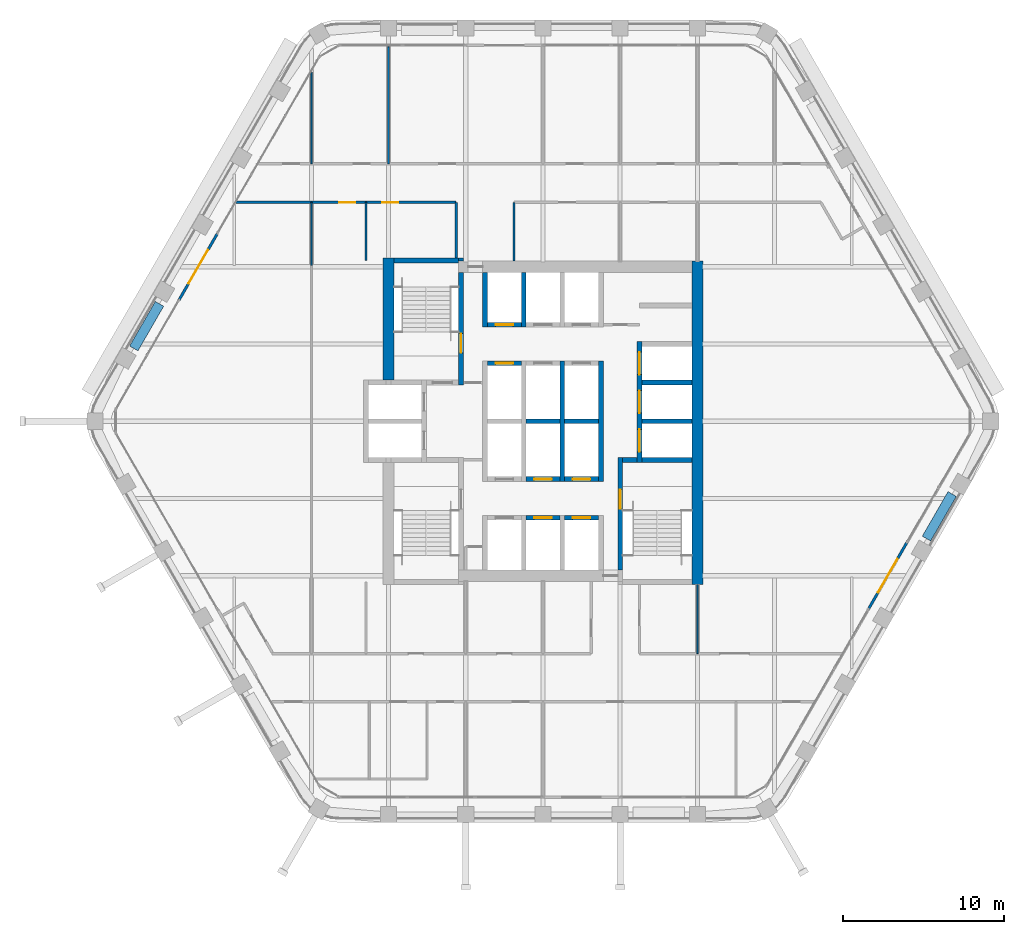
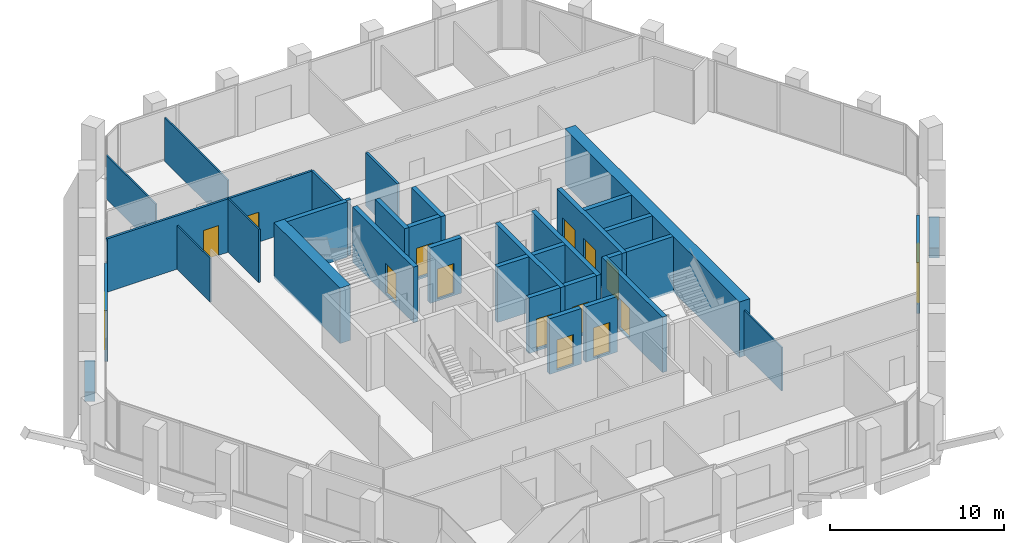
# One storey, part 11 of 16: 35 walls, 15 doors, 15 openings.
"""IFC4 building model written with IfcOpenShell, lengths in metres."""

from ifc_helpers import new_model, si_unit, direction, frame, frame_2d, origin, place, context, subcontext, project, spatial, rectangle, extrude, material, layer, layer_set, type_object, element, fill, save


model = new_model("IFC4")

# Units and contexts
model_context = context("Model", 3, precision=1e-05, world=origin(), true_north=direction((0.0, 1.0)))
body_context = subcontext(model_context, "Body", "Model", "MODEL_VIEW")
ifc_project = project(units=[si_unit("LENGTHUNIT", "METRE"), si_unit("AREAUNIT", "SQUARE_METRE"), si_unit("VOLUMEUNIT", "CUBIC_METRE"), si_unit("PLANEANGLEUNIT", "RADIAN"), si_unit("MASSUNIT", "GRAM", prefix="KILO")], contexts=[model_context])

# Site, building, storey
site_placement = place(None, origin())
site = spatial("IfcSite", under=ifc_project, at=site_placement, CompositionType="ELEMENT")
building_placement = place(site_placement, origin())
building = spatial("IfcBuilding", under=site, at=building_placement, Name="Kolab Exchange Tower", CompositionType="ELEMENT")
storey_placement = place(building_placement, frame((0.0, 0.0, 209.0)))
storey = spatial("IfcBuildingStorey", under=building, at=storey_placement, Name="L45", CompositionType="ELEMENT", Elevation=209.0)

# Walls
ifc_material_1 = material(Name="Concrete C60/75", Category="concrete")
ifc_layer_1 = layer(ifc_material_1, 0.699951171875)
ifc_layer_set_1 = layer_set([ifc_layer_1], Name="Concrete C60/75")
wall_type_1 = type_object("IfcWallType", Name="CORE WALL 700 C60/75", PredefinedType="SHEAR", material=ifc_layer_set_1)
wall_1_placement = place(storey_placement, frame((-9.60009765625, 2.550048828125, -0.14990234375), z_axis=(0.0, 0.0, 1.0), x_axis=(0.0, 1.0, 0.0)))
element("IfcWall", 1, at=wall_1_placement, inside=storey, type_object=wall_type_1, Name="wall/L45/core/037", PredefinedType="SHEAR", context=body_context, shape_type="SweptSolid", body=[
    extrude(rectangle(XDim=7.599853515625, YDim=0.699951171875, at=frame_2d((3.7998046875, 0.0))), origin(), (0.0, 0.0, 1.0), 3.89990234375),
])
wall_2_placement = place(storey_placement, frame((9.60009765625, -10.14990234375, -0.14990234375), z_axis=(0.0, 0.0, 1.0), x_axis=(0.0, 1.0, 0.0)))
element("IfcWall", 2, at=wall_2_placement, inside=storey, type_object=wall_type_1, Name="wall/L45/core/058", PredefinedType="SHEAR", context=body_context, shape_type="SweptSolid", body=[
    extrude(rectangle(XDim=20.099853515625, YDim=0.699951171875, at=frame_2d((10.0498046875, 0.0))), origin(), (0.0, 0.0, 1.0), 3.89990234375),
])

# Wall, opening, door
ifc_material_2 = material(Name="Aluminium EN AW-6063 T6", Category="aluminium")
ifc_layer_2 = layer(ifc_material_2, 0.159912109375)
ifc_layer_set_2 = layer_set([ifc_layer_2], Name="Aluminium EN AW-6063 T6")
wall_type_2 = type_object("IfcWallType", Name="DOOR SURROUND WALL 160 ALUMINIUM FRAMED", PredefinedType="PARTITIONING", material=ifc_layer_set_2)
wall_3_placement = place(storey_placement, frame((22.61669921875, -7.5498046875, 0.0), z_axis=(0.0, 0.0, 1.0), x_axis=(-0.5000167099, -0.866015756104, 0.0)))
wall_3 = element("IfcWall", 3, at=wall_3_placement, inside=storey, type_object=wall_type_2, Name="Door surround wall", PredefinedType="PARTITIONING", context=body_context, shape_type="SweptSolid", body=[
    extrude(rectangle(XDim=4.739990234375, YDim=0.159912109375, at=frame_2d((2.3701171875, 0.0))), origin(), (0.0, 0.0, 1.0), 3.60009765625),
])
opening_1_placement = place(wall_3_placement, frame((1.169921875, 0.0, 0.0)))
opening_1 = element("IfcOpeningElement", 4, at=opening_1_placement, cuts=wall_3, Name="Opening GD1-072", PredefinedType="OPENING", context=body_context, shape_type="SweptSolid", body=[
    extrude(rectangle(XDim=2.39990234375, YDim=2.39990234375, at=frame_2d((1.199951171875, 1.199951171875))), frame((0.0, 0.08984375, 0.0), z_axis=(0.0, -1.0, 0.0), x_axis=(1.0, 0.0, 0.0)), (0.0, 0.0, 1.0), 0.179931640625),
])
door_type_1 = type_object("IfcDoorType", Name="LOGGIA SLIDING GLASS DOOR 2400 X 2400", OperationType="DOUBLE_DOOR_SINGLE_SWING", PredefinedType="DOOR", material=ifc_material_2)
door_1_placement = place(opening_1_placement, origin())
door_1 = element("IfcDoor", 5, at=door_1_placement, inside=storey, type_object=door_type_1, Name="Loggia door", OperationType="DOUBLE_DOOR_SLIDING", OverallHeight=2.39990234375, OverallWidth=2.39990234375, PredefinedType="DOOR", context=body_context, shape_type="SweptSolid", body=[
    extrude(rectangle(XDim=2.39990234375, YDim=2.39990234375, at=frame_2d((1.199951171875, 1.199951171875))), frame((0.0, 0.02490234375, 0.0), z_axis=(0.0, -1.0, 0.0), x_axis=(1.0, 0.0, 0.0)), (0.0, 0.0, 1.0), 0.050048828125),
])
fill(opening_1, door_1)

wall_4_placement = place(storey_placement, frame((-22.61669921875, 7.5498046875, 0.0), z_axis=(0.0, 0.0, 1.0), x_axis=(0.5000167099, 0.866015756104, 0.0)))
wall_4 = element("IfcWall", 6, at=wall_4_placement, inside=storey, type_object=wall_type_2, Name="Door surround wall", PredefinedType="PARTITIONING", context=body_context, shape_type="SweptSolid", body=[
    extrude(rectangle(XDim=4.739990234375, YDim=0.159912109375, at=frame_2d((2.3701171875, 0.0))), origin(), (0.0, 0.0, 1.0), 3.60009765625),
])
opening_2_placement = place(wall_4_placement, frame((1.169921875, 0.0, 0.0)))
opening_2 = element("IfcOpeningElement", 7, at=opening_2_placement, cuts=wall_4, Name="Opening GD1-078", PredefinedType="OPENING", context=body_context, shape_type="SweptSolid", body=[
    extrude(rectangle(XDim=2.39990234375, YDim=2.39990234375, at=frame_2d((1.199951171875, 1.199951171875))), frame((0.0, 0.08984375, 0.0), z_axis=(0.0, -1.0, 0.0), x_axis=(1.0, 0.0, 0.0)), (0.0, 0.0, 1.0), 0.179931640625),
])
door_2_placement = place(opening_2_placement, origin())
door_2 = element("IfcDoor", 8, at=door_2_placement, inside=storey, type_object=door_type_1, Name="Loggia door", OperationType="DOUBLE_DOOR_SLIDING", OverallHeight=2.39990234375, OverallWidth=2.39990234375, PredefinedType="DOOR", context=body_context, shape_type="SweptSolid", body=[
    extrude(rectangle(XDim=2.39990234375, YDim=2.39990234375, at=frame_2d((1.199951171875, 1.199951171875))), frame((0.0, 0.02490234375, 0.0), z_axis=(0.0, -1.0, 0.0), x_axis=(1.0, 0.0, 0.0)), (0.0, 0.0, 1.0), 0.050048828125),
])
fill(opening_2, door_2)

ifc_material_3 = material(Name="Concrete C50/60", Category="concrete")
ifc_layer_3 = layer(ifc_material_3, 0.300048828125)
ifc_layer_set_3 = layer_set([ifc_layer_3], Name="Concrete C50/60")
wall_type_3 = type_object("IfcWallType", Name="LIFT SHAFT WALL 300 C50/60", PredefinedType="STANDARD", material=ifc_layer_set_3)
wall_5_placement = place(storey_placement, frame((-1.050048828125, -6.0, -0.14990234375), z_axis=(0.0, 0.0, 1.0), x_axis=(1.0, 0.0, 0.0)))
wall_5 = element("IfcWall", 9, at=wall_5_placement, inside=storey, type_object=wall_type_3, Name="wall/L45/core/004", PredefinedType="STANDARD", context=body_context, shape_type="SweptSolid", body=[
    extrude(rectangle(XDim=2.10009765625, YDim=0.300048828125, at=frame_2d((1.050048828125, 0.0))), origin(), (0.0, 0.0, 1.0), 3.89990234375),
])
opening_3_placement = place(wall_5_placement, frame((0.5, 0.0, 0.14990234375)))
opening_3 = element("IfcOpeningElement", 10, at=opening_3_placement, cuts=wall_5, Name="Opening LD1-111", PredefinedType="OPENING", context=body_context, shape_type="SweptSolid", body=[
    extrude(rectangle(XDim=1.10009765625, YDim=2.10009765625, at=frame_2d((0.550048828125, 1.050048828125))), frame((0.0, 0.16015625, 0.0), z_axis=(0.0, -1.0, 0.0), x_axis=(1.0, 0.0, 0.0)), (0.0, 0.0, 1.0), 0.320068359375),
])
ifc_material_4 = material(Name="Stainless steel 316", Category="steel")
door_type_2 = type_object("IfcDoorType", Name="LANDING DOOR 1100 PASSENGER", OperationType="DOUBLE_DOOR_SLIDING", PredefinedType="DOOR", material=ifc_material_4)
door_3_placement = place(opening_3_placement, origin())
door_3 = element("IfcDoor", 11, at=door_3_placement, inside=storey, type_object=door_type_2, Name="Landing door HR11", OperationType="DOUBLE_DOOR_SLIDING", OverallHeight=2.10009765625, OverallWidth=1.10009765625, PredefinedType="DOOR", context=body_context, shape_type="SweptSolid", body=[
    extrude(rectangle(XDim=1.10009765625, YDim=2.10009765625, at=frame_2d((0.550048828125, 1.050048828125))), frame((0.0, 0.02490234375, 0.0), z_axis=(0.0, -1.0, 0.0), x_axis=(1.0, 0.0, 0.0)), (0.0, 0.0, 1.0), 0.050048828125),
])
fill(opening_3, door_3)

wall_6_placement = place(storey_placement, frame((1.35009765625, -6.0, -0.14990234375), z_axis=(0.0, 0.0, 1.0), x_axis=(1.0, 0.0, 0.0)))
wall_6 = element("IfcWall", 12, at=wall_6_placement, inside=storey, type_object=wall_type_3, Name="wall/L45/core/005", PredefinedType="STANDARD", context=body_context, shape_type="SweptSolid", body=[
    extrude(rectangle(XDim=2.099853515625, YDim=0.300048828125, at=frame_2d((1.0498046875, 0.0))), origin(), (0.0, 0.0, 1.0), 3.89990234375),
])
opening_4_placement = place(wall_6_placement, frame((0.5, 0.0, 0.14990234375)))
opening_4 = element("IfcOpeningElement", 13, at=opening_4_placement, cuts=wall_6, Name="Opening LD1-112", PredefinedType="OPENING", context=body_context, shape_type="SweptSolid", body=[
    extrude(rectangle(XDim=1.10009765625, YDim=2.10009765625, at=frame_2d((0.550048828125, 1.050048828125))), frame((0.0, 0.16015625, 0.0), z_axis=(0.0, -1.0, 0.0), x_axis=(1.0, 0.0, 0.0)), (0.0, 0.0, 1.0), 0.320068359375),
])
door_4_placement = place(opening_4_placement, origin())
door_4 = element("IfcDoor", 14, at=door_4_placement, inside=storey, type_object=door_type_2, Name="Landing door HR12", OperationType="DOUBLE_DOOR_SLIDING", OverallHeight=2.10009765625, OverallWidth=1.10009765625, PredefinedType="DOOR", context=body_context, shape_type="SweptSolid", body=[
    extrude(rectangle(XDim=1.10009765625, YDim=2.10009765625, at=frame_2d((0.550048828125, 1.050048828125))), frame((0.0, 0.02490234375, 0.0), z_axis=(0.0, -1.0, 0.0), x_axis=(1.0, 0.0, 0.0)), (0.0, 0.0, 1.0), 0.050048828125),
])
fill(opening_4, door_4)

wall_7_placement = place(storey_placement, frame((-1.050048828125, -3.60009765625, -0.14990234375), z_axis=(0.0, 0.0, 1.0), x_axis=(1.0, 0.0, 0.0)))
wall_7 = element("IfcWall", 15, at=wall_7_placement, inside=storey, type_object=wall_type_3, Name="wall/L45/core/007", PredefinedType="STANDARD", context=body_context, shape_type="SweptSolid", body=[
    extrude(rectangle(XDim=2.10009765625, YDim=0.300048828125, at=frame_2d((1.050048828125, 0.0))), origin(), (0.0, 0.0, 1.0), 3.89990234375),
])
opening_5_placement = place(wall_7_placement, frame((0.5, 0.0, 0.14990234375)))
opening_5 = element("IfcOpeningElement", 16, at=opening_5_placement, cuts=wall_7, Name="Opening LD1-119", PredefinedType="OPENING", context=body_context, shape_type="SweptSolid", body=[
    extrude(rectangle(XDim=1.10009765625, YDim=2.10009765625, at=frame_2d((0.550048828125, 1.050048828125))), frame((0.0, 0.16015625, 0.0), z_axis=(0.0, -1.0, 0.0), x_axis=(1.0, 0.0, 0.0)), (0.0, 0.0, 1.0), 0.320068359375),
])
door_5_placement = place(opening_5_placement, origin())
door_5 = element("IfcDoor", 17, at=door_5_placement, inside=storey, type_object=door_type_2, Name="Landing door HR8", OperationType="DOUBLE_DOOR_SLIDING", OverallHeight=2.10009765625, OverallWidth=1.10009765625, PredefinedType="DOOR", context=body_context, shape_type="SweptSolid", body=[
    extrude(rectangle(XDim=1.10009765625, YDim=2.10009765625, at=frame_2d((0.550048828125, 1.050048828125))), frame((0.0, 0.02490234375, 0.0), z_axis=(0.0, -1.0, 0.0), x_axis=(1.0, 0.0, 0.0)), (0.0, 0.0, 1.0), 0.050048828125),
])
fill(opening_5, door_5)

wall_8_placement = place(storey_placement, frame((1.35009765625, -3.60009765625, -0.14990234375), z_axis=(0.0, 0.0, 1.0), x_axis=(1.0, 0.0, 0.0)))
wall_8 = element("IfcWall", 18, at=wall_8_placement, inside=storey, type_object=wall_type_3, Name="wall/L45/core/008", PredefinedType="STANDARD", context=body_context, shape_type="SweptSolid", body=[
    extrude(rectangle(XDim=2.099853515625, YDim=0.300048828125, at=frame_2d((1.0498046875, 0.0))), origin(), (0.0, 0.0, 1.0), 3.89990234375),
])
opening_6_placement = place(wall_8_placement, frame((0.5, 0.0, 0.14990234375)))
opening_6 = element("IfcOpeningElement", 19, at=opening_6_placement, cuts=wall_8, Name="Opening LD1-120", PredefinedType="OPENING", context=body_context, shape_type="SweptSolid", body=[
    extrude(rectangle(XDim=1.10009765625, YDim=2.10009765625, at=frame_2d((0.550048828125, 1.050048828125))), frame((0.0, 0.16015625, 0.0), z_axis=(0.0, -1.0, 0.0), x_axis=(1.0, 0.0, 0.0)), (0.0, 0.0, 1.0), 0.320068359375),
])
door_6_placement = place(opening_6_placement, origin())
door_6 = element("IfcDoor", 20, at=door_6_placement, inside=storey, type_object=door_type_2, Name="Landing door HR9", OperationType="DOUBLE_DOOR_SLIDING", OverallHeight=2.10009765625, OverallWidth=1.10009765625, PredefinedType="DOOR", context=body_context, shape_type="SweptSolid", body=[
    extrude(rectangle(XDim=1.10009765625, YDim=2.10009765625, at=frame_2d((0.550048828125, 1.050048828125))), frame((0.0, 0.02490234375, 0.0), z_axis=(0.0, -1.0, 0.0), x_axis=(1.0, 0.0, 0.0)), (0.0, 0.0, 1.0), 0.050048828125),
])
fill(opening_6, door_6)

# Walls
wall_9_placement = place(storey_placement, frame((-1.050048828125, 0.0, -0.14990234375), z_axis=(0.0, 0.0, 1.0), x_axis=(1.0, 0.0, 0.0)))
element("IfcWall", 21, at=wall_9_placement, inside=storey, type_object=wall_type_3, Name="wall/L45/core/016", PredefinedType="STANDARD", context=body_context, shape_type="SweptSolid", body=[
    extrude(rectangle(XDim=2.10009765625, YDim=0.300048828125, at=frame_2d((1.050048828125, 0.0))), origin(), (0.0, 0.0, 1.0), 3.89990234375),
])
wall_10_placement = place(storey_placement, frame((1.35009765625, 0.0, -0.14990234375), z_axis=(0.0, 0.0, 1.0), x_axis=(1.0, 0.0, 0.0)))
element("IfcWall", 22, at=wall_10_placement, inside=storey, type_object=wall_type_3, Name="wall/L45/core/017", PredefinedType="STANDARD", context=body_context, shape_type="SweptSolid", body=[
    extrude(rectangle(XDim=2.099853515625, YDim=0.300048828125, at=frame_2d((1.0498046875, 0.0))), origin(), (0.0, 0.0, 1.0), 3.89990234375),
])
for number, where, z_axis, x_axis, name in (
    (23, (6.14990234375, 0.0, -0.14990234375), (0.0, 0.0, 1.0), (1.0, 0.0, 0.0), "wall/L45/core/018"),
    (24, (6.14990234375, 2.39990234375, -0.14990234375), (0.0, 0.0, 1.0), (1.0, 0.0, 0.0), "wall/L45/core/022"),
):
    element("IfcWall", number, at=place(storey_placement, frame(where, z_axis=z_axis, x_axis=x_axis)), inside=storey, type_object=wall_type_3, Name=name, PredefinedType="STANDARD", context=body_context, shape_type="SweptSolid", body=[
        extrude(rectangle(XDim=3.10009765625, YDim=0.300048828125, at=frame_2d((1.550048828125, 0.0))), origin(), (0.0, 0.0, 1.0), 3.89990234375),
    ])

# Wall, opening, door
wall_11_placement = place(storey_placement, frame((-3.449951171875, 3.60009765625, -0.14990234375), z_axis=(0.0, 0.0, 1.0), x_axis=(1.0, 0.0, 0.0)))
wall_11 = element("IfcWall", 25, at=wall_11_placement, inside=storey, type_object=wall_type_3, Name="wall/L45/core/023", PredefinedType="STANDARD", context=body_context, shape_type="SweptSolid", body=[
    extrude(rectangle(XDim=2.099853515625, YDim=0.300048828125, at=frame_2d((1.0498046875, 0.0))), origin(), (0.0, 0.0, 1.0), 3.89990234375),
])
opening_7_placement = place(wall_11_placement, frame((0.5, 0.0, 0.14990234375)))
opening_7 = element("IfcOpeningElement", 26, at=opening_7_placement, cuts=wall_11, Name="Opening LD1-115", PredefinedType="OPENING", context=body_context, shape_type="SweptSolid", body=[
    extrude(rectangle(XDim=1.10009765625, YDim=2.10009765625, at=frame_2d((0.550048828125, 1.050048828125))), frame((0.0, 0.16015625, 0.0), z_axis=(0.0, -1.0, 0.0), x_axis=(1.0, 0.0, 0.0)), (0.0, 0.0, 1.0), 0.320068359375),
])
door_7_placement = place(opening_7_placement, origin())
door_7 = element("IfcDoor", 27, at=door_7_placement, inside=storey, type_object=door_type_2, Name="Landing door HR4", OperationType="DOUBLE_DOOR_SLIDING", OverallHeight=2.10009765625, OverallWidth=1.10009765625, PredefinedType="DOOR", context=body_context, shape_type="SweptSolid", body=[
    extrude(rectangle(XDim=1.10009765625, YDim=2.10009765625, at=frame_2d((0.550048828125, 1.050048828125))), frame((0.0, 0.02490234375, 0.0), z_axis=(0.0, -1.0, 0.0), x_axis=(1.0, 0.0, 0.0)), (0.0, 0.0, 1.0), 0.050048828125),
])
fill(opening_7, door_7)

wall_12_placement = place(storey_placement, frame((-3.449951171875, 6.0, -0.14990234375), z_axis=(0.0, 0.0, 1.0), x_axis=(1.0, 0.0, 0.0)))
wall_12 = element("IfcWall", 28, at=wall_12_placement, inside=storey, type_object=wall_type_3, Name="wall/L45/core/027", PredefinedType="STANDARD", context=body_context, shape_type="SweptSolid", body=[
    extrude(rectangle(XDim=2.099853515625, YDim=0.300048828125, at=frame_2d((1.0498046875, 0.0))), origin(), (0.0, 0.0, 1.0), 3.89990234375),
])
opening_8_placement = place(wall_12_placement, frame((0.5, 0.0, 0.14990234375)))
opening_8 = element("IfcOpeningElement", 29, at=opening_8_placement, cuts=wall_12, Name="Opening LD1-109", PredefinedType="OPENING", context=body_context, shape_type="SweptSolid", body=[
    extrude(rectangle(XDim=1.10009765625, YDim=2.10009765625, at=frame_2d((0.550048828125, 1.050048828125))), frame((0.0, 0.16015625, 0.0), z_axis=(0.0, -1.0, 0.0), x_axis=(1.0, 0.0, 0.0)), (0.0, 0.0, 1.0), 0.320068359375),
])
door_8_placement = place(opening_8_placement, origin())
door_8 = element("IfcDoor", 30, at=door_8_placement, inside=storey, type_object=door_type_2, Name="Landing door HR1", OperationType="DOUBLE_DOOR_SLIDING", OverallHeight=2.10009765625, OverallWidth=1.10009765625, PredefinedType="DOOR", context=body_context, shape_type="SweptSolid", body=[
    extrude(rectangle(XDim=1.10009765625, YDim=2.10009765625, at=frame_2d((0.550048828125, 1.050048828125))), frame((0.0, 0.02490234375, 0.0), z_axis=(0.0, -1.0, 0.0), x_axis=(1.0, 0.0, 0.0)), (0.0, 0.0, 1.0), 0.050048828125),
])
fill(opening_8, door_8)

# Walls
for number, where, z_axis, x_axis, name in (
    (31, (-3.60009765625, 5.85009765625, -0.14990234375), (0.0, 0.0, 1.0), (0.0, 1.0, 0.0), "wall/L45/core/045"),
    (32, (-1.199951171875, 5.85009765625, -0.14990234375), (0.0, 0.0, 1.0), (0.0, 1.0, 0.0), "wall/L45/core/048"),
):
    element("IfcWall", number, at=place(storey_placement, frame(where, z_axis=z_axis, x_axis=x_axis)), inside=storey, type_object=wall_type_3, Name=name, PredefinedType="STANDARD", context=body_context, shape_type="SweptSolid", body=[
        extrude(rectangle(XDim=3.39990234375, YDim=0.300048828125, at=frame_2d((1.699951171875, 0.0))), origin(), (0.0, 0.0, 1.0), 3.89990234375),
    ])
for number, where, z_axis, x_axis, name in (
    (33, (1.199951171875, -3.75, -0.14990234375), (0.0, 0.0, 1.0), (0.0, 1.0, 0.0), "wall/L45/core/050"),
    (34, (3.60009765625, -3.75, -0.14990234375), (0.0, 0.0, 1.0), (0.0, 1.0, 0.0), "wall/L45/core/053"),
):
    element("IfcWall", number, at=place(storey_placement, frame(where, z_axis=z_axis, x_axis=x_axis)), inside=storey, type_object=wall_type_3, Name=name, PredefinedType="STANDARD", context=body_context, shape_type="SweptSolid", body=[
        extrude(rectangle(XDim=7.5, YDim=0.300048828125, at=frame_2d((3.75, 0.0))), origin(), (0.0, 0.0, 1.0), 3.89990234375),
    ])

# Wall, openings, doors
wall_13_placement = place(storey_placement, frame((6.0, -2.550048828125, -0.14990234375), z_axis=(0.0, 0.0, 1.0), x_axis=(0.0, 1.0, 0.0)))
wall_13 = element("IfcWall", 35, at=wall_13_placement, inside=storey, type_object=wall_type_3, Name="wall/L45/core/057", PredefinedType="STANDARD", context=body_context, shape_type="SweptSolid", body=[
    extrude(rectangle(XDim=7.5, YDim=0.300048828125, at=frame_2d((3.75, 0.0))), origin(), (0.0, 0.0, 1.0), 3.89990234375),
])
opening_9_placement = place(wall_13_placement, frame((0.64990234375, 0.0, 0.14990234375)))
opening_9 = element("IfcOpeningElement", 36, at=opening_9_placement, cuts=wall_13, Name="Opening LD3-037", PredefinedType="OPENING", context=body_context, shape_type="SweptSolid", body=[
    extrude(rectangle(XDim=1.39990234375, YDim=2.10009765625, at=frame_2d((0.699951171875, 1.050048828125))), frame((0.0, 0.16015625, 0.0), z_axis=(0.0, -1.0, 0.0), x_axis=(1.0, 0.0, 0.0)), (0.0, 0.0, 1.0), 0.320068359375),
])
opening_10_placement = place(wall_13_placement, frame((3.050048828125, 0.0, 0.14990234375)))
opening_10 = element("IfcOpeningElement", 37, at=opening_10_placement, cuts=wall_13, Name="Opening LD3-038", PredefinedType="OPENING", context=body_context, shape_type="SweptSolid", body=[
    extrude(rectangle(XDim=1.39990234375, YDim=2.10009765625, at=frame_2d((0.699951171875, 1.050048828125))), frame((0.0, 0.16015625, 0.0), z_axis=(0.0, -1.0, 0.0), x_axis=(1.0, 0.0, 0.0)), (0.0, 0.0, 1.0), 0.320068359375),
])
opening_11_placement = place(wall_13_placement, frame((5.449951171875, 0.0, 0.14990234375)))
opening_11 = element("IfcOpeningElement", 38, at=opening_11_placement, cuts=wall_13, Name="Opening LD3-039", PredefinedType="OPENING", context=body_context, shape_type="SweptSolid", body=[
    extrude(rectangle(XDim=1.39990234375, YDim=2.10009765625, at=frame_2d((0.699951171875, 1.050048828125))), frame((0.0, 0.16015625, 0.0), z_axis=(0.0, -1.0, 0.0), x_axis=(1.0, 0.0, 0.0)), (0.0, 0.0, 1.0), 0.320068359375),
])
door_type_3 = type_object("IfcDoorType", Name="LANDING DOOR 1400 SERVICE", OperationType="DOUBLE_DOOR_SLIDING", PredefinedType="DOOR", material=ifc_material_4)
door_9_placement = place(opening_9_placement, origin())
door_9 = element("IfcDoor", 39, at=door_9_placement, inside=storey, type_object=door_type_3, Name="Landing door SV1", OperationType="DOUBLE_DOOR_SLIDING", OverallHeight=2.10009765625, OverallWidth=1.39990234375, PredefinedType="DOOR", context=body_context, shape_type="SweptSolid", body=[
    extrude(rectangle(XDim=1.39990234375, YDim=2.10009765625, at=frame_2d((0.699951171875, 1.050048828125))), frame((0.0, 0.02490234375, 0.0), z_axis=(0.0, -1.0, 0.0), x_axis=(1.0, 0.0, 0.0)), (0.0, 0.0, 1.0), 0.050048828125),
])
fill(opening_9, door_9)
door_10_placement = place(opening_10_placement, origin())
door_10 = element("IfcDoor", 40, at=door_10_placement, inside=storey, type_object=door_type_3, Name="Landing door SV2", OperationType="DOUBLE_DOOR_SLIDING", OverallHeight=2.10009765625, OverallWidth=1.39990234375, PredefinedType="DOOR", context=body_context, shape_type="SweptSolid", body=[
    extrude(rectangle(XDim=1.39990234375, YDim=2.10009765625, at=frame_2d((0.699951171875, 1.050048828125))), frame((0.0, 0.02490234375, 0.0), z_axis=(0.0, -1.0, 0.0), x_axis=(1.0, 0.0, 0.0)), (0.0, 0.0, 1.0), 0.050048828125),
])
fill(opening_10, door_10)
door_11_placement = place(opening_11_placement, origin())
door_11 = element("IfcDoor", 41, at=door_11_placement, inside=storey, type_object=door_type_3, Name="Landing door SV3", OperationType="DOUBLE_DOOR_SLIDING", OverallHeight=2.10009765625, OverallWidth=1.39990234375, PredefinedType="DOOR", context=body_context, shape_type="SweptSolid", body=[
    extrude(rectangle(XDim=1.39990234375, YDim=2.10009765625, at=frame_2d((0.699951171875, 1.050048828125))), frame((0.0, 0.02490234375, 0.0), z_axis=(0.0, -1.0, 0.0), x_axis=(1.0, 0.0, 0.0)), (0.0, 0.0, 1.0), 0.050048828125),
])
fill(opening_11, door_11)

# Walls
ifc_material_5 = material(Name="Gypsum board", Category="gypsum")
ifc_layer_4 = layer(ifc_material_5, 0.10009765625)
ifc_layer_set_4 = layer_set([ifc_layer_4], Name="Gypsum board")
wall_type_4 = type_object("IfcWallType", Name="PARTITION 100", PredefinedType="PARTITIONING", material=ifc_layer_set_4)
wall_14_placement = place(storey_placement, frame((9.60009765625, -14.44140625, 0.0), z_axis=(0.0, 0.0, 1.0), x_axis=(0.0, 1.0, 0.0)))
element("IfcWall", 42, at=wall_14_placement, inside=storey, type_object=wall_type_4, Name="Partition 002", PredefinedType="PARTITIONING", context=body_context, shape_type="SweptSolid", body=[
    extrude(rectangle(XDim=4.29150390625, YDim=0.10009765625, at=frame_2d((2.145751953125, 0.0))), origin(), (0.0, 0.0, 1.0), 3.06591796875),
])
wall_15_placement = place(storey_placement, frame((-9.60009765625, 16.0, 0.0), z_axis=(0.0, 0.0, 1.0), x_axis=(0.0, 1.0, 0.0)))
element("IfcWall", 43, at=wall_15_placement, inside=storey, type_object=wall_type_4, Name="Partition 018", PredefinedType="PARTITIONING", context=body_context, shape_type="SweptSolid", body=[
    extrude(rectangle(XDim=7.271484375, YDim=0.10009765625, at=frame_2d((3.6357421875, 0.0))), origin(), (0.0, 0.0, 1.0), 3.06591796875),
])
wall_16_placement = place(storey_placement, frame((-11.0, 10.0, 0.0), z_axis=(0.0, 0.0, 1.0), x_axis=(0.0, 1.0, 0.0)))
element("IfcWall", 44, at=wall_16_placement, inside=storey, type_object=wall_type_4, Name="Partition 021", PredefinedType="PARTITIONING", context=body_context, shape_type="SweptSolid", body=[
    extrude(rectangle(XDim=3.60009765625, YDim=0.10009765625, at=frame_2d((1.800048828125, 0.0))), origin(), (0.0, 0.0, 1.0), 3.75),
])
wall_17_placement = place(storey_placement, frame((-14.39990234375, 9.693603515625, 0.0), z_axis=(0.0, 0.0, 1.0), x_axis=(0.0, 1.0, 0.0)))
element("IfcWall", 45, at=wall_17_placement, inside=storey, type_object=wall_type_4, Name="Partition 022", PredefinedType="PARTITIONING", context=body_context, shape_type="SweptSolid", body=[
    extrude(rectangle(XDim=3.906494140625, YDim=0.10009765625, at=frame_2d((1.953125, 0.0))), origin(), (0.0, 0.0, 1.0), 3.06591796875),
])
wall_18_placement = place(storey_placement, frame((-14.39990234375, 16.0, 0.0), z_axis=(0.0, 0.0, 1.0), x_axis=(0.0, 1.0, 0.0)))
element("IfcWall", 46, at=wall_18_placement, inside=storey, type_object=wall_type_4, Name="Partition 023", PredefinedType="PARTITIONING", context=body_context, shape_type="SweptSolid", body=[
    extrude(rectangle(XDim=5.701416015625, YDim=0.10009765625, at=frame_2d((2.8505859375, 0.0))), origin(), (0.0, 0.0, 1.0), 3.06591796875),
])
ifc_layer_5 = layer(ifc_material_5, 0.14990234375)
ifc_layer_set_5 = layer_set([ifc_layer_5], Name="Gypsum board")
wall_type_5 = type_object("IfcWallType", Name="PARTITION 150 FIRE-RATED", PredefinedType="PARTITIONING", material=ifc_layer_set_5)
wall_19_placement = place(storey_placement, frame((-1.800048828125, 9.949951171875, 0.0), z_axis=(0.0, 0.0, 1.0), x_axis=(0.0, 1.0, 0.0)))
element("IfcWall", 47, at=wall_19_placement, inside=storey, type_object=wall_type_5, Name="Partition 012", PredefinedType="PARTITIONING", context=body_context, shape_type="SweptSolid", body=[
    extrude(rectangle(XDim=3.650146484375, YDim=0.14990234375, at=frame_2d((1.8251953125, 0.0))), origin(), (0.0, 0.0, 1.0), 3.75),
])
wall_20_placement = place(storey_placement, frame((-5.39990234375, 10.14990234375, 0.0), z_axis=(0.0, 0.0, 1.0), x_axis=(0.0, 1.0, 0.0)))
element("IfcWall", 48, at=wall_20_placement, inside=storey, type_object=wall_type_5, Name="Partition 016", PredefinedType="PARTITIONING", context=body_context, shape_type="SweptSolid", body=[
    extrude(rectangle(XDim=3.4501953125, YDim=0.14990234375, at=frame_2d((1.72509765625, 0.0))), origin(), (0.0, 0.0, 1.0), 3.75),
])

# Wall, openings, doors
wall_21_placement = place(storey_placement, frame((-19.077392578125, 13.60009765625, 0.0), z_axis=(0.0, 0.0, 1.0), x_axis=(1.0, 0.0, 0.0)))
wall_21 = element("IfcWall", 49, at=wall_21_placement, inside=storey, type_object=wall_type_5, Name="Partition 034", PredefinedType="PARTITIONING", context=body_context, shape_type="SweptSolid", body=[
    extrude(rectangle(XDim=13.677490234375, YDim=0.14990234375, at=frame_2d((6.8388671875, 0.0))), origin(), (0.0, 0.0, 1.0), 3.75),
])
opening_12_placement = place(wall_21_placement, frame((9.08251953125, 0.0, 0.0)))
opening_12 = element("IfcOpeningElement", 50, at=opening_12_placement, cuts=wall_21, Name="Opening D1-570", PredefinedType="OPENING", context=body_context, shape_type="SweptSolid", body=[
    extrude(rectangle(XDim=1.0, YDim=2.10009765625, at=frame_2d((0.5, 1.050048828125))), frame((0.0, 0.0849609375, 0.0), z_axis=(0.0, -1.0, 0.0), x_axis=(1.0, 0.0, 0.0)), (0.0, 0.0, 1.0), 0.169921875),
])
opening_13_placement = place(wall_21_placement, frame((6.40234375, 0.0, 0.0)))
opening_13 = element("IfcOpeningElement", 51, at=opening_13_placement, cuts=wall_21, Name="Opening D1-493", PredefinedType="OPENING", context=body_context, shape_type="SweptSolid", body=[
    extrude(rectangle(XDim=1.0, YDim=2.10009765625, at=frame_2d((0.5, 1.050048828125))), frame((0.0, 0.0849609375, 0.0), z_axis=(0.0, -1.0, 0.0), x_axis=(1.0, 0.0, 0.0)), (0.0, 0.0, 1.0), 0.169921875),
])
ifc_material_6 = material(Name="Steel S235", Category="steel")
door_type_4 = type_object("IfcDoorType", Name="FLUSH DOOR 1000 FD60", OperationType="SINGLE_SWING_LEFT", PredefinedType="DOOR", material=ifc_material_6)
door_12_placement = place(opening_12_placement, frame((1.0, 0.0, 0.0), z_axis=(0.0, 0.0, 1.0), x_axis=(-1.0, 0.0, 0.0)))
door_12 = element("IfcDoor", 52, at=door_12_placement, inside=storey, type_object=door_type_4, Name="Door L45-033", OperationType="SINGLE_SWING_LEFT", OverallHeight=2.10009765625, OverallWidth=1.0, PredefinedType="DOOR", context=body_context, shape_type="SweptSolid", body=[
    extrude(rectangle(XDim=1.0, YDim=2.10009765625, at=frame_2d((0.5, 1.050048828125))), frame((0.0, 0.02490234375, 0.0), z_axis=(0.0, -1.0, 0.0), x_axis=(1.0, 0.0, 0.0)), (0.0, 0.0, 1.0), 0.050048828125),
])
fill(opening_12, door_12)
door_13_placement = place(opening_13_placement, frame((1.0, 0.0, 0.0), z_axis=(0.0, 0.0, 1.0), x_axis=(-1.0, 0.0, 0.0)))
door_13 = element("IfcDoor", 53, at=door_13_placement, inside=storey, type_object=door_type_4, Name="Door L45-053", OperationType="SINGLE_SWING_RIGHT", OverallHeight=2.10009765625, OverallWidth=1.0, PredefinedType="DOOR", context=body_context, shape_type="SweptSolid", body=[
    extrude(rectangle(XDim=1.0, YDim=2.10009765625, at=frame_2d((0.5, 1.050048828125))), frame((0.0, 0.02490234375, 0.0), z_axis=(0.0, -1.0, 0.0), x_axis=(1.0, 0.0, 0.0)), (0.0, 0.0, 1.0), 0.050048828125),
])
fill(opening_13, door_13)

# Walls
ifc_material_7 = material(Name="Granite facing", Category="masonry")
ifc_layer_6 = layer(ifc_material_7, 0.0400390625)
ifc_material_8 = material(Name="Concrete C40/50 precast", Category="concrete")
ifc_layer_7 = layer(ifc_material_8, 0.56005859375)
ifc_layer_set_6 = layer_set([ifc_layer_6, ifc_layer_7], Name="Concrete C40/50 precast")
wall_type_6 = type_object("IfcWallType", Name="PLANTER BOX 600 X 700 SOIL DEPTH 550", PredefinedType="USERDEFINED", material=ifc_layer_set_6)
for number, where, z_axis, x_axis, name in (
    (54, (25.43701171875, -4.524658203125, 0.0), (0.0, 0.0, 1.0), (-0.499938187974, -0.866061088033, 0.0), "Planter"),
    (55, (-25.43701171875, 4.524658203125, 0.0), (0.0, 0.0, 1.0), (0.499938187974, 0.866061088033, 0.0), "Planter"),
):
    element("IfcWall", number, at=place(storey_placement, frame(where, z_axis=z_axis, x_axis=x_axis)), inside=storey, type_object=wall_type_6, Name=name, ObjectType="PLANTER", PredefinedType="USERDEFINED", context=body_context, shape_type="SweptSolid", body=[
        extrude(rectangle(XDim=3.2001953125, YDim=0.60009765625, at=frame_2d((1.60009765625, 0.0))), origin(), (0.0, 0.0, 1.0), 0.699951171875),
    ])
ifc_layer_8 = layer(ifc_material_3, 0.300048828125)
ifc_layer_set_7 = layer_set([ifc_layer_8], Name="Concrete C50/60")
wall_type_7 = type_object("IfcWallType", Name="STAIR ENCLOSURE WALL 300 C50/60", PredefinedType="STANDARD", material=ifc_layer_set_7)
wall_22_placement = place(storey_placement, frame((4.949951171875, -2.39990234375, -0.14990234375), z_axis=(0.0, 0.0, 1.0), x_axis=(1.0, 0.0, 0.0)))
element("IfcWall", 56, at=wall_22_placement, inside=storey, type_object=wall_type_7, Name="wall/L45/core/012", PredefinedType="STANDARD", context=body_context, shape_type="SweptSolid", body=[
    extrude(rectangle(XDim=0.900146484375, YDim=0.300048828125, at=frame_2d((0.4501953125, 0.0))), origin(), (0.0, 0.0, 1.0), 3.89990234375),
])
wall_23_placement = place(storey_placement, frame((6.14990234375, -2.39990234375, -0.14990234375), z_axis=(0.0, 0.0, 1.0), x_axis=(1.0, 0.0, 0.0)))
element("IfcWall", 57, at=wall_23_placement, inside=storey, type_object=wall_type_7, Name="wall/L45/core/013", PredefinedType="STANDARD", context=body_context, shape_type="SweptSolid", body=[
    extrude(rectangle(XDim=3.10009765625, YDim=0.300048828125, at=frame_2d((1.550048828125, 0.0))), origin(), (0.0, 0.0, 1.0), 3.89990234375),
])
wall_24_placement = place(storey_placement, frame((-9.25, 10.0, -0.14990234375), z_axis=(0.0, 0.0, 1.0), x_axis=(1.0, 0.0, 0.0)))
element("IfcWall", 58, at=wall_24_placement, inside=storey, type_object=wall_type_7, Name="wall/L45/core/032", PredefinedType="STANDARD", context=body_context, shape_type="SweptSolid", body=[
    extrude(rectangle(XDim=4.0, YDim=0.300048828125, at=frame_2d((2.0, 0.0))), origin(), (0.0, 0.0, 1.0), 3.89990234375),
])

# Wall, opening, door
wall_25_placement = place(storey_placement, frame((-5.10009765625, 2.25, -0.14990234375), z_axis=(0.0, 0.0, 1.0), x_axis=(0.0, 1.0, 0.0)))
wall_25 = element("IfcWall", 59, at=wall_25_placement, inside=storey, type_object=wall_type_7, Name="wall/L45/core/041", PredefinedType="STANDARD", context=body_context, shape_type="SweptSolid", body=[
    extrude(rectangle(XDim=7.0, YDim=0.300048828125, at=frame_2d((3.5, 0.0))), origin(), (0.0, 0.0, 1.0), 3.89990234375),
])
opening_14_placement = place(wall_25_placement, frame((2.0, 0.0, 0.14990234375)))
opening_14 = element("IfcOpeningElement", 60, at=opening_14_placement, cuts=wall_25, Name="Opening D4-066", PredefinedType="OPENING", context=body_context, shape_type="SweptSolid", body=[
    extrude(rectangle(XDim=1.199951171875, YDim=2.10009765625, at=frame_2d((0.60009765625, 1.050048828125))), frame((0.0, 0.16015625, 0.0), z_axis=(0.0, -1.0, 0.0), x_axis=(1.0, 0.0, 0.0)), (0.0, 0.0, 1.0), 0.320068359375),
])
door_type_5 = type_object("IfcDoorType", Name="STAIR DOOR 1200 EI 120", OperationType="SINGLE_SWING_LEFT", PredefinedType="DOOR", material=ifc_material_6)
door_14_placement = place(opening_14_placement, origin())
door_14 = element("IfcDoor", 61, at=door_14_placement, inside=storey, type_object=door_type_5, Name="Stair 1 door", OperationType="SINGLE_SWING_LEFT", OverallHeight=2.10009765625, OverallWidth=1.199951171875, PredefinedType="DOOR", context=body_context, shape_type="SweptSolid", body=[
    extrude(rectangle(XDim=1.199951171875, YDim=2.10009765625, at=frame_2d((0.60009765625, 1.050048828125))), frame((0.0, 0.02490234375, 0.0), z_axis=(0.0, -1.0, 0.0), x_axis=(1.0, 0.0, 0.0)), (0.0, 0.0, 1.0), 0.050048828125),
])
fill(opening_14, door_14)

# Wall
wall_26_placement = place(storey_placement, frame((-5.10009765625, 9.949951171875, -0.14990234375), z_axis=(0.0, 0.0, 1.0), x_axis=(0.0, 1.0, 0.0)))
element("IfcWall", 62, at=wall_26_placement, inside=storey, type_object=wall_type_7, Name="wall/L45/core/042", PredefinedType="STANDARD", context=body_context, shape_type="SweptSolid", body=[
    extrude(rectangle(XDim=0.199951171875, YDim=0.300048828125, at=frame_2d((0.10009765625, 0.0))), origin(), (0.0, 0.0, 1.0), 3.89990234375),
])

# Wall, opening, door
wall_27_placement = place(storey_placement, frame((4.800048828125, -9.25, -0.14990234375), z_axis=(0.0, 0.0, 1.0), x_axis=(0.0, 1.0, 0.0)))
wall_27 = element("IfcWall", 63, at=wall_27_placement, inside=storey, type_object=wall_type_7, Name="wall/L45/core/056", PredefinedType="STANDARD", context=body_context, shape_type="SweptSolid", body=[
    extrude(rectangle(XDim=7.0, YDim=0.300048828125, at=frame_2d((3.5, 0.0))), origin(), (0.0, 0.0, 1.0), 3.89990234375),
])
opening_15_placement = place(wall_27_placement, frame((3.800048828125, 0.0, 0.14990234375)))
opening_15 = element("IfcOpeningElement", 64, at=opening_15_placement, cuts=wall_27, Name="Opening D4-067", PredefinedType="OPENING", context=body_context, shape_type="SweptSolid", body=[
    extrude(rectangle(XDim=1.199951171875, YDim=2.10009765625, at=frame_2d((0.60009765625, 1.050048828125))), frame((0.0, 0.16015625, 0.0), z_axis=(0.0, -1.0, 0.0), x_axis=(1.0, 0.0, 0.0)), (0.0, 0.0, 1.0), 0.320068359375),
])
door_15_placement = place(opening_15_placement, frame((1.199951171875, 0.0, 0.0), z_axis=(0.0, 0.0, 1.0), x_axis=(-1.0, 0.0, 0.0)))
door_15 = element("IfcDoor", 65, at=door_15_placement, inside=storey, type_object=door_type_5, Name="Stair 2 door", OperationType="SINGLE_SWING_RIGHT", OverallHeight=2.10009765625, OverallWidth=1.199951171875, PredefinedType="DOOR", context=body_context, shape_type="SweptSolid", body=[
    extrude(rectangle(XDim=1.199951171875, YDim=2.10009765625, at=frame_2d((0.60009765625, 1.050048828125))), frame((0.0, 0.02490234375, 0.0), z_axis=(0.0, -1.0, 0.0), x_axis=(1.0, 0.0, 0.0)), (0.0, 0.0, 1.0), 0.050048828125),
])
fill(opening_15, door_15)

save(model, "model.ifc")
